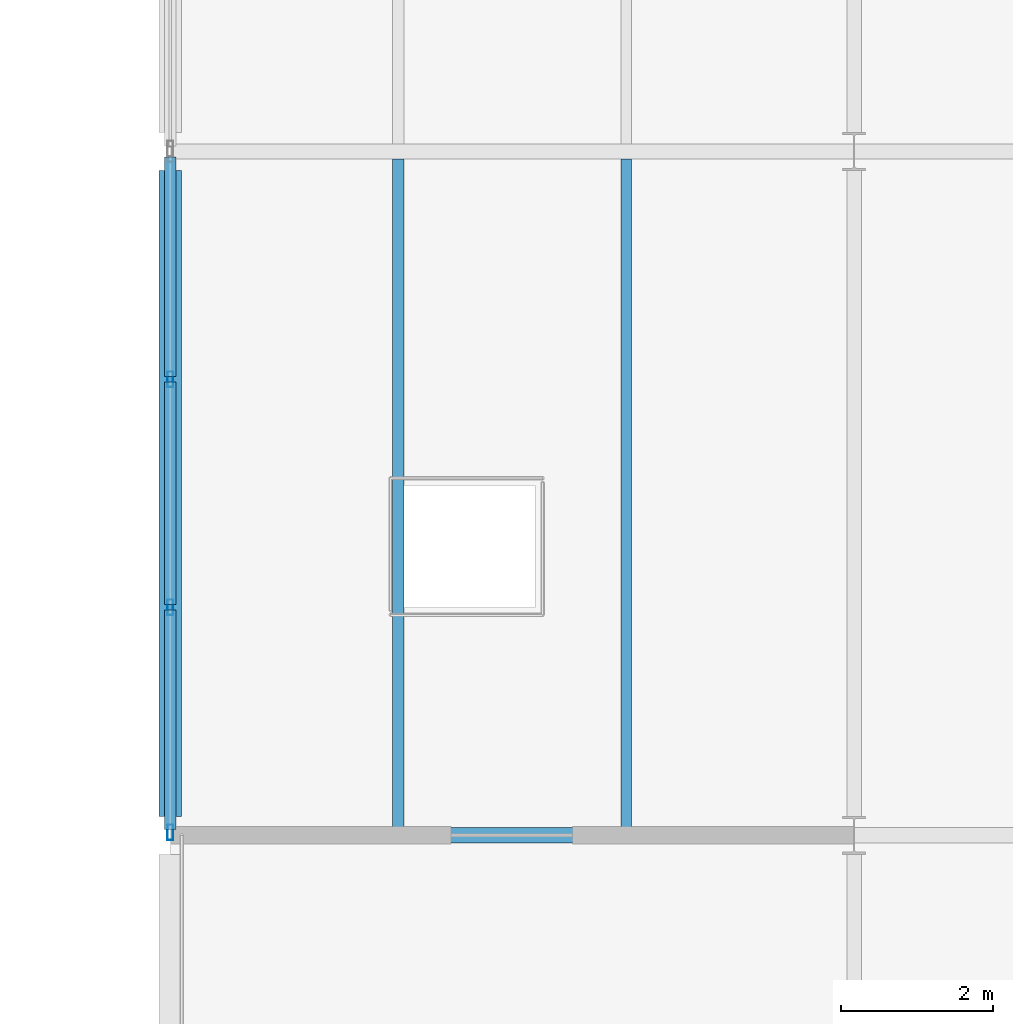
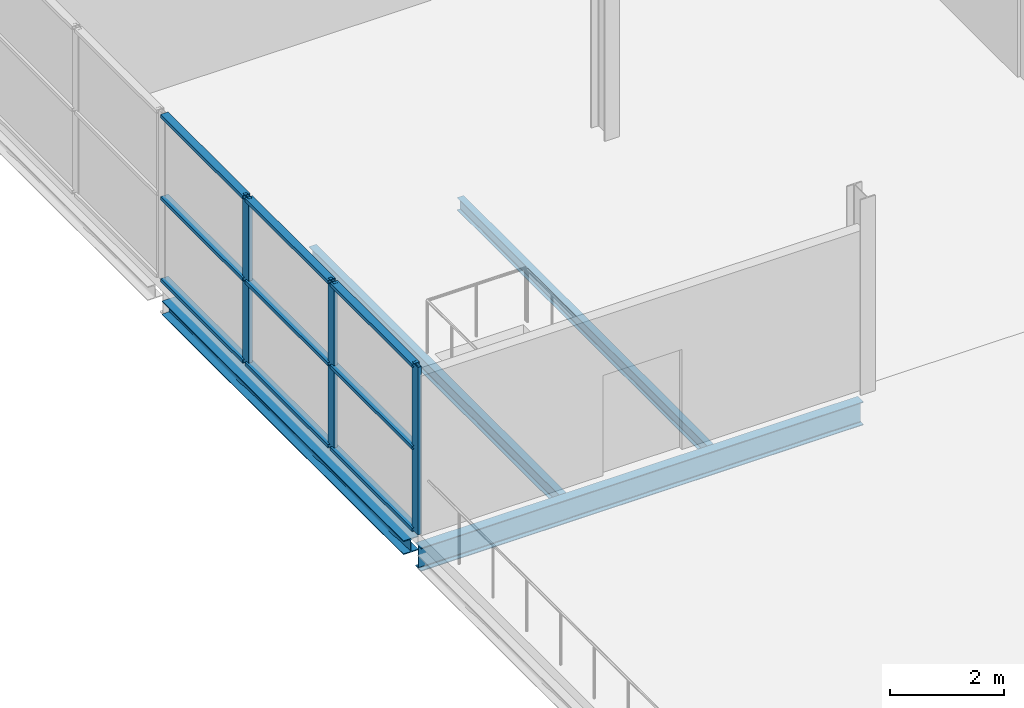
# One storey, part 14 of 88: 12 members, 4 beams, 1 element without a shape of its own.
"""IFC4 building model written with IfcOpenShell, lengths in metres."""

from ifc_helpers import new_model, si_unit, direction, frame, origin, origin_2d, place, context, subcontext, project, spatial, hollow_rectangle, i_section, extrude, material, layer, layer_set, material_profile, profile_set, type_object, element, aggregate, save


model = new_model("IFC4")

# Units and contexts
model_context = context("Model", 3, precision=1e-05, world=origin(), true_north=direction((0.0, 1.0)))
body_context = subcontext(model_context, "Body", "Model", "MODEL_VIEW")
ifc_project = project(units=[si_unit("LENGTHUNIT", "METRE"), si_unit("AREAUNIT", "SQUARE_METRE"), si_unit("VOLUMEUNIT", "CUBIC_METRE"), si_unit("PLANEANGLEUNIT", "RADIAN"), si_unit("MASSUNIT", "GRAM", prefix="KILO")], contexts=[model_context])

# Site, building, storey
site_placement = place(None, origin())
site = spatial("IfcSite", under=ifc_project, at=site_placement, CompositionType="ELEMENT")
building_placement = place(site_placement, origin())
building = spatial("IfcBuilding", under=site, at=building_placement, Name="Deido Ridge Mobility Hub", CompositionType="ELEMENT")
storey_placement = place(building_placement, frame((0.0, 0.0, 16.800048828125)))
storey = spatial("IfcBuildingStorey", under=building, at=storey_placement, Name="L04", CompositionType="ELEMENT", Elevation=16.800048828125)

# Beams
ifc_material_1 = material(Name="Steel S355J2 EN 10025-2", Category="steel")
ifc_material_profile_1 = material_profile(ifc_material_1, i_section(OverallWidth=0.199951171875, OverallDepth=0.5, WebThickness=0.01025390625, FlangeThickness=0.01611328125, FilletRadius=0.02099609375, at=origin_2d()), Name="IPE 500")
ifc_profile_set_1 = profile_set([ifc_material_profile_1], Name="Steel S355J2 EN 10025-2")
beam_type_1 = type_object("IfcBeamType", Name="BM-IPE500", PredefinedType="BEAM", material=ifc_profile_set_1)
beam_1_placement = place(storey_placement, frame((54.007080078125, 54.0, -0.525146484375), z_axis=(1.0, 0.0, 0.0), x_axis=(0.0, 1.0, 0.0)))
element("IfcBeam", 1, at=beam_1_placement, inside=storey, type_object=beam_type_1, Name="Floor beam B3", PredefinedType="BEAM", context=body_context, shape_type="SweptSolid", body=[
    extrude(i_section(OverallWidth=0.199951171875, OverallDepth=0.5, WebThickness=0.01025390625, FlangeThickness=0.01611328125, FilletRadius=0.02099609375, at=origin_2d()), origin(), (0.0, 0.0, 1.0), 8.98583984375),
])
ifc_material_profile_2 = material_profile(ifc_material_1, i_section(OverallWidth=0.135009765625, OverallDepth=0.27001953125, WebThickness=0.006591796875, FlangeThickness=0.01025390625, FilletRadius=0.014892578125, at=origin_2d()), Name="IPE 270")
ifc_profile_set_2 = profile_set([ifc_material_profile_2], Name="Steel S355J2 EN 10025-2")
beam_type_2 = type_object("IfcBeamType", Name="JST-IPE270", PredefinedType="JOIST", material=ifc_profile_set_2)
beam_2_placement = place(storey_placement, frame((60.0, 54.10009765625, -0.41015625), z_axis=(0.0, 1.0, 0.0), x_axis=(-1.0, 0.0, 0.0)))
element("IfcBeam", 2, at=beam_2_placement, inside=storey, type_object=beam_type_2, Name="Composite joist J4", PredefinedType="JOIST", context=body_context, shape_type="SweptSolid", body=[
    extrude(i_section(OverallWidth=0.135009765625, OverallDepth=0.27001953125, WebThickness=0.006591796875, FlangeThickness=0.01025390625, FilletRadius=0.014892578125, at=origin_2d()), origin(), (0.0, 0.0, 1.0), 8.7998046875),
])
ifc_material_profile_3 = material_profile(ifc_material_1, i_section(OverallWidth=0.14990234375, OverallDepth=0.300048828125, WebThickness=0.007080078125, FlangeThickness=0.0107421875, FilletRadius=0.014892578125, at=origin_2d()), Name="IPE 300")
ifc_profile_set_3 = profile_set([ifc_material_profile_3], Name="Steel S355J2 EN 10025-2")
beam_type_3 = type_object("IfcBeamType", Name="JST-IPE300", PredefinedType="JOIST", material=ifc_profile_set_3)
beam_3_placement = place(storey_placement, frame((57.0, 54.10009765625, -0.425048828125), z_axis=(0.0, 1.0, 0.0), x_axis=(-1.0, 0.0, 0.0)))
element("IfcBeam", 3, at=beam_3_placement, inside=storey, type_object=beam_type_3, Name="Composite joist J3", PredefinedType="JOIST", context=body_context, shape_type="SweptSolid", body=[
    extrude(i_section(OverallWidth=0.14990234375, OverallDepth=0.300048828125, WebThickness=0.007080078125, FlangeThickness=0.0107421875, FilletRadius=0.014892578125, at=origin_2d()), origin(), (0.0, 0.0, 1.0), 8.7998046875),
])

# Curtain wall, members
ifc_material_2 = material(Name="Anodised aluminium EN AW-6063 T6", Category="aluminium")
ifc_layer = layer(ifc_material_2, 0.239990234375, Name="Anodised aluminium EN AW-6063 T6")
ifc_layer_set = layer_set([ifc_layer], Name="Anodised aluminium EN AW-6063 T6")
curtain_wall_type = type_object("IfcCurtainWallType", Name="CW-UF-6", PredefinedType="USERDEFINED", material=ifc_layer_set)
curtain_wall_placement = place(storey_placement, origin())
curtain_wall = element("IfcCurtainWall", 4, at=curtain_wall_placement, inside=storey, type_object=curtain_wall_type, Name="Unitised curtain wall CW6", ObjectType="UNITISED FACADE", PredefinedType="USERDEFINED")
ifc_material_profile_4 = material_profile(ifc_material_2, hollow_rectangle(XDim=0.074951171875, YDim=0.205078125, WallThickness=0.00390625, at=origin_2d()), Name="RHS 75x205x4")
ifc_profile_set_4 = profile_set([ifc_material_profile_4], Name="Anodised aluminium EN AW-6063 T6")
member_type_1 = type_object("IfcMemberType", Name="MEM-MUL-75X205", PredefinedType="MULLION", material=ifc_profile_set_4)
member_1_placement = place(storey_placement, frame((54.0, 54.03759765625, 0.0), z_axis=(0.0, 0.0, 1.0), x_axis=(-1.0, 0.0, 0.0)))
member_1 = element("IfcMember", 5, at=member_1_placement, type_object=member_type_1, Name="CW6 mullion 1", PredefinedType="MULLION", context=body_context, shape_type="SweptSolid", body=[
    extrude(hollow_rectangle(XDim=0.074951171875, YDim=0.205078125, WallThickness=0.00390625, at=origin_2d()), origin(), (0.0, 0.0, 1.0), 3.599853515625),
])
member_2_placement = place(storey_placement, frame((54.0, 57.0, 0.0), z_axis=(0.0, 0.0, 1.0), x_axis=(-1.0, 0.0, 0.0)))
member_2 = element("IfcMember", 6, at=member_2_placement, type_object=member_type_1, Name="CW6 mullion 2", PredefinedType="MULLION", context=body_context, shape_type="SweptSolid", body=[
    extrude(hollow_rectangle(XDim=0.074951171875, YDim=0.205078125, WallThickness=0.00390625, at=origin_2d()), origin(), (0.0, 0.0, 1.0), 3.599853515625),
])
member_3_placement = place(storey_placement, frame((54.0, 60.0, 0.0), z_axis=(0.0, 0.0, 1.0), x_axis=(-1.0, 0.0, 0.0)))
member_3 = element("IfcMember", 7, at=member_3_placement, type_object=member_type_1, Name="CW6 mullion 3", PredefinedType="MULLION", context=body_context, shape_type="SweptSolid", body=[
    extrude(hollow_rectangle(XDim=0.074951171875, YDim=0.205078125, WallThickness=0.00390625, at=origin_2d()), origin(), (0.0, 0.0, 1.0), 3.599853515625),
])
ifc_material_profile_5 = material_profile(ifc_material_2, hollow_rectangle(XDim=0.155029296875, YDim=0.074951171875, WallThickness=0.00390625, at=origin_2d()), Name="RHS 155x75x4")
ifc_profile_set_5 = profile_set([ifc_material_profile_5], Name="Anodised aluminium EN AW-6063 T6")
member_type_2 = type_object("IfcMemberType", Name="MEM-TRN-155X75", PredefinedType="USERDEFINED", material=ifc_profile_set_5)
member_4_placement = place(storey_placement, frame((54.0, 54.074951171875, 0.037353515625), z_axis=(0.0, 1.0, 0.0), x_axis=(-1.0, 0.0, 0.0)))
member_4 = element("IfcMember", 8, at=member_4_placement, type_object=member_type_2, Name="CW6 transom 1.1", ObjectType="TRANSOM", PredefinedType="USERDEFINED", context=body_context, shape_type="SweptSolid", body=[
    extrude(hollow_rectangle(XDim=0.155029296875, YDim=0.074951171875, WallThickness=0.00390625, at=origin_2d()), origin(), (0.0, 0.0, 1.0), 2.887451171875),
])
member_5_placement = place(storey_placement, frame((54.0, 54.074951171875, 1.800048828125), z_axis=(0.0, 1.0, 0.0), x_axis=(-1.0, 0.0, 0.0)))
member_5 = element("IfcMember", 9, at=member_5_placement, type_object=member_type_2, Name="CW6 transom 1.2", ObjectType="TRANSOM", PredefinedType="USERDEFINED", context=body_context, shape_type="SweptSolid", body=[
    extrude(hollow_rectangle(XDim=0.155029296875, YDim=0.074951171875, WallThickness=0.00390625, at=origin_2d()), origin(), (0.0, 0.0, 1.0), 2.887451171875),
])
member_6_placement = place(storey_placement, frame((54.0, 54.074951171875, 3.5625), z_axis=(0.0, 1.0, 0.0), x_axis=(-1.0, 0.0, 0.0)))
member_6 = element("IfcMember", 10, at=member_6_placement, type_object=member_type_2, Name="CW6 transom 1.3", ObjectType="TRANSOM", PredefinedType="USERDEFINED", context=body_context, shape_type="SweptSolid", body=[
    extrude(hollow_rectangle(XDim=0.155029296875, YDim=0.074951171875, WallThickness=0.00390625, at=origin_2d()), origin(), (0.0, 0.0, 1.0), 2.887451171875),
])
member_7_placement = place(storey_placement, frame((54.0, 57.03759765625, 0.037353515625), z_axis=(0.0, 1.0, 0.0), x_axis=(-1.0, 0.0, 0.0)))
member_7 = element("IfcMember", 11, at=member_7_placement, type_object=member_type_2, Name="CW6 transom 2.1", ObjectType="TRANSOM", PredefinedType="USERDEFINED", context=body_context, shape_type="SweptSolid", body=[
    extrude(hollow_rectangle(XDim=0.155029296875, YDim=0.074951171875, WallThickness=0.00390625, at=origin_2d()), origin(), (0.0, 0.0, 1.0), 2.9248046875),
])
member_8_placement = place(storey_placement, frame((54.0, 57.03759765625, 1.800048828125), z_axis=(0.0, 1.0, 0.0), x_axis=(-1.0, 0.0, 0.0)))
member_8 = element("IfcMember", 12, at=member_8_placement, type_object=member_type_2, Name="CW6 transom 2.2", ObjectType="TRANSOM", PredefinedType="USERDEFINED", context=body_context, shape_type="SweptSolid", body=[
    extrude(hollow_rectangle(XDim=0.155029296875, YDim=0.074951171875, WallThickness=0.00390625, at=origin_2d()), origin(), (0.0, 0.0, 1.0), 2.9248046875),
])
member_9_placement = place(storey_placement, frame((54.0, 57.03759765625, 3.5625), z_axis=(0.0, 1.0, 0.0), x_axis=(-1.0, 0.0, 0.0)))
member_9 = element("IfcMember", 13, at=member_9_placement, type_object=member_type_2, Name="CW6 transom 2.3", ObjectType="TRANSOM", PredefinedType="USERDEFINED", context=body_context, shape_type="SweptSolid", body=[
    extrude(hollow_rectangle(XDim=0.155029296875, YDim=0.074951171875, WallThickness=0.00390625, at=origin_2d()), origin(), (0.0, 0.0, 1.0), 2.9248046875),
])
member_10_placement = place(storey_placement, frame((54.0, 60.03759765625, 0.037353515625), z_axis=(0.0, 1.0, 0.0), x_axis=(-1.0, 0.0, 0.0)))
member_10 = element("IfcMember", 14, at=member_10_placement, type_object=member_type_2, Name="CW6 transom 3.1", ObjectType="TRANSOM", PredefinedType="USERDEFINED", context=body_context, shape_type="SweptSolid", body=[
    extrude(hollow_rectangle(XDim=0.155029296875, YDim=0.074951171875, WallThickness=0.00390625, at=origin_2d()), origin(), (0.0, 0.0, 1.0), 2.887451171875),
])
member_11_placement = place(storey_placement, frame((54.0, 60.03759765625, 1.800048828125), z_axis=(0.0, 1.0, 0.0), x_axis=(-1.0, 0.0, 0.0)))
member_11 = element("IfcMember", 15, at=member_11_placement, type_object=member_type_2, Name="CW6 transom 3.2", ObjectType="TRANSOM", PredefinedType="USERDEFINED", context=body_context, shape_type="SweptSolid", body=[
    extrude(hollow_rectangle(XDim=0.155029296875, YDim=0.074951171875, WallThickness=0.00390625, at=origin_2d()), origin(), (0.0, 0.0, 1.0), 2.887451171875),
])
member_12_placement = place(storey_placement, frame((54.0, 60.03759765625, 3.5625), z_axis=(0.0, 1.0, 0.0), x_axis=(-1.0, 0.0, 0.0)))
member_12 = element("IfcMember", 16, at=member_12_placement, type_object=member_type_2, Name="CW6 transom 3.3", ObjectType="TRANSOM", PredefinedType="USERDEFINED", context=body_context, shape_type="SweptSolid", body=[
    extrude(hollow_rectangle(XDim=0.155029296875, YDim=0.074951171875, WallThickness=0.00390625, at=origin_2d()), origin(), (0.0, 0.0, 1.0), 2.887451171875),
])
aggregate(curtain_wall, [member_1, member_2, member_3, member_4, member_5, member_6, member_7, member_8, member_9, member_10, member_11, member_12])

# Beam
ifc_material_profile_6 = material_profile(ifc_material_1, i_section(OverallWidth=0.300048828125, OverallDepth=0.300048828125, WebThickness=0.010986328125, FlangeThickness=0.01904296875, FilletRadius=0.027099609375, at=origin_2d()), Name="HEB 300")
ifc_profile_set_6 = profile_set([ifc_material_profile_6], Name="Steel S355J2 EN 10025-2")
beam_type_4 = type_object("IfcBeamType", Name="SPD-HEB300", PredefinedType="SPANDREL", material=ifc_profile_set_6)
beam_4_placement = place(storey_placement, frame((54.0, 54.25, -0.425048828125), z_axis=(0.0, 1.0, 0.0), x_axis=(-1.0, 0.0, 0.0)))
element("IfcBeam", 17, at=beam_4_placement, inside=storey, type_object=beam_type_4, Name="Floor beam SP1", PredefinedType="SPANDREL", context=body_context, shape_type="SweptSolid", body=[
    extrude(i_section(OverallWidth=0.300048828125, OverallDepth=0.300048828125, WebThickness=0.010986328125, FlangeThickness=0.01904296875, FilletRadius=0.027099609375, at=origin_2d()), origin(), (0.0, 0.0, 1.0), 8.5),
])

save(model, "model.ifc")
